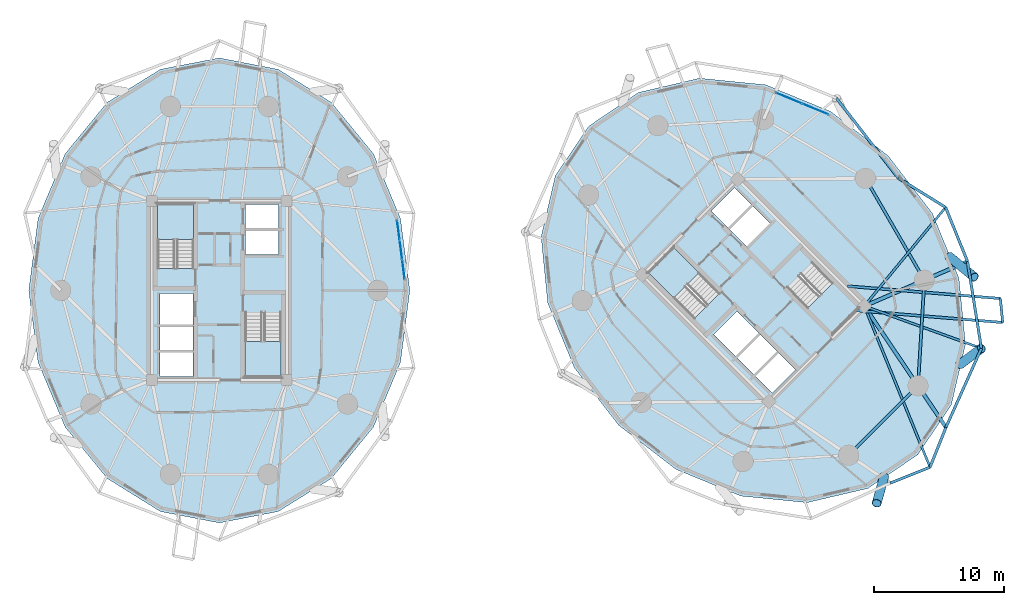
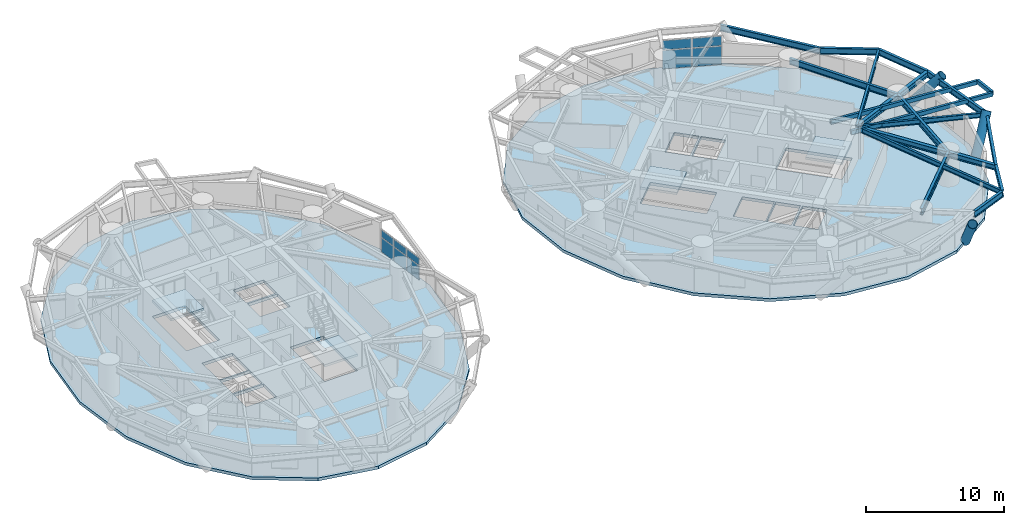
# One storey, part 8 of 17: 18 beams, 10 plates, 6 slabs, 3 members, 6 elements without a shape of their own.
"""IFC4 building model written with IfcOpenShell, lengths in metres."""

from ifc_helpers import new_model, si_unit, direction, frame, origin, origin_2d, place, context, subcontext, project, spatial, polyline, rectangle, hollow_rectangle, hollow_circle, i_section, outline, extrude, source, transform, mapped, material, layer, layer_set, material_profile, profile_set, type_object, element, aggregate, save


model = new_model("IFC4")

# Units and contexts
model_context = context("Model", 3, precision=1e-05, world=origin(), true_north=direction((0.0, 1.0)))
body_context = subcontext(model_context, "Body", "Model", "MODEL_VIEW")
ifc_project = project(units=[si_unit("LENGTHUNIT", "METRE"), si_unit("AREAUNIT", "SQUARE_METRE"), si_unit("VOLUMEUNIT", "CUBIC_METRE"), si_unit("PLANEANGLEUNIT", "RADIAN"), si_unit("MASSUNIT", "GRAM", prefix="KILO")], contexts=[model_context])

# Site, building, storey
site_placement = place(None, origin())
site = spatial("IfcSite", under=ifc_project, at=site_placement, CompositionType="ELEMENT")
building_placement = place(site_placement, origin())
building = spatial("IfcBuilding", under=site, at=building_placement, Name="Cununo Teusaquillo Station Towers", CompositionType="ELEMENT")
storey_placement = place(building_placement, frame((0.0, 0.0, 27.820068359375)))
storey = spatial("IfcBuildingStorey", under=building, at=storey_placement, Name="L07", CompositionType="ELEMENT", Elevation=27.820068359375)

# Beams
ifc_material_1 = material(Name="Steel EN 10025-2 S355J2", Category="steel")
ifc_material_profile_1 = material_profile(ifc_material_1, hollow_rectangle(XDim=0.199951171875, YDim=0.35009765625, WallThickness=0.013916015625, at=origin_2d()), Name="RHS 350x200x14")
ifc_profile_set_1 = profile_set([ifc_material_profile_1], Name="Steel EN 10025-2 S355J2")
beam_type_1 = type_object("IfcBeamType", Name="BM-BAL-CANT", PredefinedType="BEAM", material=ifc_profile_set_1)
beam_1_placement = place(storey_placement, frame((65.3564453125, 22.951904296875, 2.474853515625), z_axis=(0.996751716996, -0.080535797419, 0.0), x_axis=(0.080535797419, 0.996751716996, 0.0)))
element("IfcBeam", 1, at=beam_1_placement, inside=storey, type_object=beam_type_1, Name="L07 Tower B Balcony Cantilever Bracket 2A", PredefinedType="BEAM", context=body_context, shape_type="SweptSolid", body=[
    extrude(hollow_rectangle(XDim=0.199951171875, YDim=0.35009765625, WallThickness=0.013916015625, at=origin_2d()), origin(), (0.0, 0.0, 1.0), 11.32861328125),
])
beam_2_placement = place(storey_placement, frame((64.73779296875, 24.828369140625, 2.474853515625), z_axis=(0.996750695017, -0.080548444941, 0.0), x_axis=(0.080548444941, 0.996750695017, 0.0)))
element("IfcBeam", 2, at=beam_2_placement, inside=storey, type_object=beam_type_1, Name="L07 Tower B Balcony Cantilever Bracket 2B", PredefinedType="BEAM", context=body_context, shape_type="SweptSolid", body=[
    extrude(hollow_rectangle(XDim=0.199951171875, YDim=0.35009765625, WallThickness=0.013916015625, at=origin_2d()), origin(), (0.0, 0.0, 1.0), 11.766357421875),
])
ifc_material_2 = material(Name="Steel ASTM A572 Grade 50", Category="steel")
ifc_material_profile_2 = material_profile(ifc_material_2, i_section(OverallWidth=0.180908203125, OverallDepth=0.4169921875, WebThickness=0.010986328125, FlangeThickness=0.018310546875, FilletRadius=0.012939453125, at=origin_2d()), Name="W16X57")
ifc_profile_set_2 = profile_set([ifc_material_profile_2], Name="Steel ASTM A572 Grade 50")
beam_type_2 = type_object("IfcBeamType", Name="BM-JOIST-1", PredefinedType="JOIST", material=ifc_profile_set_2)
beam_3_placement = place(storey_placement, frame((66.024169921875, 23.29443359375, 2.44140625), z_axis=(0.377815437796, -0.92588092915, 0.0), x_axis=(0.92588092915, 0.377815437796, 0.0)))
element("IfcBeam", 3, at=beam_3_placement, inside=storey, type_object=beam_type_2, Name="L07 Tower B Radial Spandrel Joist V15", PredefinedType="JOIST", context=body_context, shape_type="SweptSolid", body=[
    extrude(i_section(OverallWidth=0.180908203125, OverallDepth=0.4169921875, WebThickness=0.010986328125, FlangeThickness=0.018310546875, FilletRadius=0.012939453125, at=origin_2d()), origin(), (0.0, 0.0, 1.0), 13.353515625),
])
beam_4_placement = place(storey_placement, frame((66.024169921875, 23.29443359375, 2.44140625), z_axis=(0.940761914171, -0.33906787056, 0.0), x_axis=(0.33906787056, 0.940761914171, 0.0)))
element("IfcBeam", 4, at=beam_4_placement, inside=storey, type_object=beam_type_2, Name="L07 Tower B Radial Spandrel Joist V17", PredefinedType="JOIST", context=body_context, shape_type="SweptSolid", body=[
    extrude(i_section(OverallWidth=0.180908203125, OverallDepth=0.4169921875, WebThickness=0.010986328125, FlangeThickness=0.018310546875, FilletRadius=0.012939453125, at=origin_2d()), origin(), (0.0, 0.0, 1.0), 9.552734375),
])
beam_5_placement = place(storey_placement, frame((66.024169921875, 23.29443359375, 2.44140625), z_axis=(0.635389148475, 0.772192093976, 0.0), x_axis=(-0.772192093976, 0.635389148475, 0.0)))
element("IfcBeam", 5, at=beam_5_placement, inside=storey, type_object=beam_type_2, Name="L07 Tower B Radial Spandrel Joist V19", PredefinedType="JOIST", context=body_context, shape_type="SweptSolid", body=[
    extrude(i_section(OverallWidth=0.180908203125, OverallDepth=0.4169921875, WebThickness=0.010986328125, FlangeThickness=0.018310546875, FilletRadius=0.012939453125, at=origin_2d()), origin(), (0.0, 0.0, 1.0), 9.82080078125),
])
ifc_material_3 = material(Name="Steel ASTM A572 Grade 50", Category="steel")
ifc_material_profile_3 = material_profile(ifc_material_3, i_section(OverallWidth=0.280029296875, OverallDepth=0.462890625, WebThickness=0.0107421875, FlangeThickness=0.017333984375, FilletRadius=0.013916015625, at=origin_2d()), Name="W18X76")
ifc_profile_set_3 = profile_set([ifc_material_profile_3], Name="Steel ASTM A572 Grade 50")
beam_type_3 = type_object("IfcBeamType", Name="BM-RAD-G1", PredefinedType="BEAM", material=ifc_profile_set_3)
beam_6_placement = place(storey_placement, frame((66.024169921875, 23.29443359375, 2.41845703125), z_axis=(0.558565249978, -0.829460584667, 0.0), x_axis=(0.829460584667, 0.558565249978, 0.0)))
element("IfcBeam", 6, at=beam_6_placement, inside=storey, type_object=beam_type_3, Name="L07 Tower B Continuous Overhanging Radial Girder 09", PredefinedType="BEAM", context=body_context, shape_type="SweptSolid", body=[
    extrude(i_section(OverallWidth=0.280029296875, OverallDepth=0.462890625, WebThickness=0.0107421875, FlangeThickness=0.017333984375, FilletRadius=0.013916015625, at=origin_2d()), origin(), (0.0, 0.0, 1.0), 11.22119140625),
])
beam_7_placement = place(storey_placement, frame((66.024169921875, 23.29443359375, 2.41845703125), z_axis=(0.91765947108, 0.397367707718, 0.0), x_axis=(-0.397367707718, 0.91765947108, 0.0)))
element("IfcBeam", 7, at=beam_7_placement, inside=storey, type_object=beam_type_3, Name="L07 Tower B Continuous Overhanging Radial Girder 10", PredefinedType="BEAM", context=body_context, shape_type="SweptSolid", body=[
    extrude(i_section(OverallWidth=0.280029296875, OverallDepth=0.462890625, WebThickness=0.0107421875, FlangeThickness=0.017333984375, FilletRadius=0.013916015625, at=origin_2d()), origin(), (0.0, 0.0, 1.0), 8.631591796875),
])
ifc_material_4 = material(Name="Steel ASTM A572 Grade 50", Category="steel")
ifc_material_profile_4 = material_profile(ifc_material_4, i_section(OverallWidth=0.214111328125, OverallDepth=0.549072265625, WebThickness=0.0146484375, FlangeThickness=0.023681640625, FilletRadius=0.014892578125, at=origin_2d()), Name="W21X93")
ifc_profile_set_4 = profile_set([ifc_material_profile_4], Name="Steel ASTM A572 Grade 50")
beam_type_4 = type_object("IfcBeamType", Name="BM-RING-Z1", PredefinedType="SPANDREL", material=ifc_profile_set_4)
beam_8_placement = place(storey_placement, frame((64.826904296875, 11.853759765625, 2.37548828125), z_axis=(0.707106781187, 0.707106781187, 0.0), x_axis=(-0.707106781187, 0.707106781187, 0.0)))
element("IfcBeam", 8, at=beam_8_placement, inside=storey, type_object=beam_type_4, Name="L07 Tower B Structural Column Ring Girder 08", PredefinedType="SPANDREL", context=body_context, shape_type="SweptSolid", body=[
    extrude(i_section(OverallWidth=0.214111328125, OverallDepth=0.549072265625, WebThickness=0.0146484375, FlangeThickness=0.023681640625, FilletRadius=0.014892578125, at=origin_2d()), origin(), (0.0, 0.0, 1.0), 7.522705078125),
])
beam_9_placement = place(storey_placement, frame((70.146240234375, 17.173095703125, 2.37548828125), z_axis=(0.06012979176, 0.998190567048, 0.0), x_axis=(-0.998190567048, 0.06012979176, 0.0)))
element("IfcBeam", 9, at=beam_9_placement, inside=storey, type_object=beam_type_4, Name="L07 Tower B Structural Column Ring Girder 09", PredefinedType="SPANDREL", context=body_context, shape_type="SweptSolid", body=[
    extrude(i_section(OverallWidth=0.214111328125, OverallDepth=0.549072265625, WebThickness=0.0146484375, FlangeThickness=0.023681640625, FilletRadius=0.014892578125, at=origin_2d()), origin(), (0.0, 0.0, 1.0), 8.132568359375),
])
beam_10_placement = place(storey_placement, frame((70.63525390625, 25.291015625, 2.37548828125), z_axis=(-0.501311121078, 0.865267103202, 0.0), x_axis=(-0.865267103202, -0.501311121078, 0.0)))
element("IfcBeam", 10, at=beam_10_placement, inside=storey, type_object=beam_type_4, Name="L07 Tower B Structural Column Ring Girder 10", PredefinedType="SPANDREL", context=body_context, shape_type="SweptSolid", body=[
    extrude(i_section(OverallWidth=0.214111328125, OverallDepth=0.549072265625, WebThickness=0.0146484375, FlangeThickness=0.023681640625, FilletRadius=0.014892578125, at=origin_2d()), origin(), (0.0, 0.0, 1.0), 9.032958984375),
])
beam_11_placement = place(storey_placement, frame((68.635986328125, 33.12841796875, 2.37548828125), z_axis=(-0.612801480015, 0.790236892388, 0.0), x_axis=(-0.790236892388, -0.612801480015, 0.0)))
element("IfcBeam", 11, at=beam_11_placement, inside=storey, type_object=beam_type_4, Name="L07 Tower B Spandrel Ring Beam 01", PredefinedType="SPANDREL", context=body_context, shape_type="SweptSolid", body=[
    extrude(i_section(OverallWidth=0.214111328125, OverallDepth=0.549072265625, WebThickness=0.0146484375, FlangeThickness=0.023681640625, FilletRadius=0.014892578125, at=origin_2d()), origin(), (0.0, 0.0, 1.0), 7.764404296875),
])
for number, where, z_axis, x_axis, name in (
    (12, (68.01318359375, 9.7080078125, 2.37548828125), (0.928456228871, 0.371441827304, 0.0), (-0.371441827304, 0.928456228871, 0.0), "L07 Tower B Spandrel Ring Beam 15"),
    (13, (71.0693359375, 10.9306640625, 2.37548828125), (0.371441827304, 0.928456228871, 0.0), (-0.928456228871, 0.371441827304, 0.0), "L07 Tower B Spandrel Ring Beam 16"),
):
    element("IfcBeam", number, at=place(storey_placement, frame(where, z_axis=z_axis, x_axis=x_axis)), inside=storey, type_object=beam_type_4, Name=name, PredefinedType="SPANDREL", context=body_context, shape_type="SweptSolid", body=[
        extrude(i_section(OverallWidth=0.214111328125, OverallDepth=0.549072265625, WebThickness=0.0146484375, FlangeThickness=0.023681640625, FilletRadius=0.014892578125, at=origin_2d()), origin(), (0.0, 0.0, 1.0), 3.291748046875),
    ])
beam_12_placement = place(storey_placement, frame((72.2919921875, 13.98681640625, 2.37548828125), z_axis=(0.408878798951, 0.912588695836, 0.0), x_axis=(-0.912588695836, 0.408878798951, 0.0)))
element("IfcBeam", 14, at=beam_12_placement, inside=storey, type_object=beam_type_4, Name="L07 Tower B Spandrel Ring Beam 17", PredefinedType="SPANDREL", context=body_context, shape_type="SweptSolid", body=[
    extrude(i_section(OverallWidth=0.214111328125, OverallDepth=0.549072265625, WebThickness=0.0146484375, FlangeThickness=0.023681640625, FilletRadius=0.014892578125, at=origin_2d()), origin(), (0.0, 0.0, 1.0), 6.64990234375),
])
beam_13_placement = place(storey_placement, frame((75.010986328125, 20.055419921875, 2.37548828125), z_axis=(-0.157829770834, 0.987466335344, 0.0), x_axis=(-0.987466335344, -0.157829770834, 0.0)))
element("IfcBeam", 15, at=beam_13_placement, inside=storey, type_object=beam_type_4, Name="L07 Tower B Spandrel Ring Beam 18", PredefinedType="SPANDREL", context=body_context, shape_type="SweptSolid", body=[
    extrude(i_section(OverallWidth=0.214111328125, OverallDepth=0.549072265625, WebThickness=0.0146484375, FlangeThickness=0.023681640625, FilletRadius=0.014892578125, at=origin_2d()), origin(), (0.0, 0.0, 1.0), 6.753662109375),
])
beam_14_placement = place(storey_placement, frame((73.945068359375, 26.724365234375, 2.37548828125), z_axis=(-0.375135909025, 0.926969821386, 0.0), x_axis=(-0.926969821386, -0.375135909025, 0.0)))
element("IfcBeam", 16, at=beam_14_placement, inside=storey, type_object=beam_type_4, Name="L07 Tower B Spandrel Ring Beam 19", PredefinedType="SPANDREL", context=body_context, shape_type="SweptSolid", body=[
    extrude(i_section(OverallWidth=0.214111328125, OverallDepth=0.549072265625, WebThickness=0.0146484375, FlangeThickness=0.023681640625, FilletRadius=0.014892578125, at=origin_2d()), origin(), (0.0, 0.0, 1.0), 4.480712890625),
])
beam_15_placement = place(storey_placement, frame((72.26416015625, 30.8779296875, 2.37548828125), z_axis=(-0.849795627585, 0.527112313779, 0.0), x_axis=(-0.527112313779, -0.849795627585, 0.0)))
element("IfcBeam", 17, at=beam_15_placement, inside=storey, type_object=beam_type_4, Name="L07 Tower B Spandrel Ring Beam 20", PredefinedType="SPANDREL", context=body_context, shape_type="SweptSolid", body=[
    extrude(i_section(OverallWidth=0.214111328125, OverallDepth=0.549072265625, WebThickness=0.0146484375, FlangeThickness=0.023681640625, FilletRadius=0.014892578125, at=origin_2d()), origin(), (0.0, 0.0, 1.0), 4.26953125),
])
ifc_material_5 = material(Name="Steel EN 10025-2 S355J2", Category="steel")
ifc_material_profile_5 = material_profile(ifc_material_5, hollow_rectangle(XDim=0.199951171875, YDim=0.35009765625, WallThickness=0.013916015625, at=origin_2d()), Name="RHS 350x200x14")
ifc_profile_set_5 = profile_set([ifc_material_profile_5], Name="Steel EN 10025-2 S355J2")
beam_type_5 = type_object("IfcBeamType", Name="BM-STAIR-TRIM", PredefinedType="BEAM", material=ifc_profile_set_5)
beam_16_placement = place(storey_placement, frame((76.648193359375, 22.03955078125, 2.52490234375), z_axis=(-0.098576018311, 0.995129523537, 0.0), x_axis=(-0.995129523537, -0.098576018311, 0.0)))
element("IfcBeam", 18, at=beam_16_placement, inside=storey, type_object=beam_type_5, Name="L07 Tower B Balcony Edge Trimmer Beam 2", PredefinedType="BEAM", context=body_context, shape_type="SweptSolid", body=[
    extrude(hollow_rectangle(XDim=0.199951171875, YDim=0.35009765625, WallThickness=0.013916015625, at=origin_2d()), origin(), (0.0, 0.0, 1.0), 1.85009765625),
])

# Members
ifc_material_6 = material(Name="Steel EN 10025-2 S355J2", Category="steel")
ifc_material_profile_6 = material_profile(ifc_material_6, hollow_circle(Radius=0.360107421875, WallThickness=0.028076171875, at=origin_2d()), Name="CHS 720x28")
ifc_profile_set_6 = profile_set([ifc_material_profile_6], Name="Steel EN 10025-2 S355J2")
member_type = type_object("IfcMemberType", Name="MBR-DIAG-Z1", PredefinedType="BRACE", material=ifc_profile_set_6)
member_1_placement = place(storey_placement, frame((67.54638671875, 10.20849609375, -0.14013671875), z_axis=(-0.159683606554, -0.568237973957, 0.807221624308), x_axis=(0.962709788537, -0.270536250908, 0.0)))
element("IfcMember", 19, at=member_1_placement, inside=storey, type_object=member_type, Name="L07 Tower B Folded-Zigzag Diagrid Tube C14", PredefinedType="BRACE", context=body_context, shape_type="SweptSolid", body=[
    extrude(hollow_circle(Radius=0.360107421875, WallThickness=0.028076171875, at=origin_2d()), origin(), (0.0, 0.0, 1.0), 3.605224609375),
])
member_2_placement = place(storey_placement, frame((73.371337890625, 18.826171875, -0.14013671875), z_axis=(0.460667971989, 0.34536379377, 0.81762391693), x_axis=(-0.599847495595, 0.800114355594, 0.0)))
element("IfcMember", 20, at=member_2_placement, inside=storey, type_object=member_type, Name="L07 Tower B Folded-Zigzag Diagrid Tube C16", PredefinedType="BRACE", context=body_context, shape_type="SweptSolid", body=[
    extrude(hollow_circle(Radius=0.360107421875, WallThickness=0.028076171875, at=origin_2d()), origin(), (0.0, 0.0, 1.0), 3.559326171875),
])
member_3_placement = place(storey_placement, frame((72.54833984375, 27.09814453125, -0.14013671875), z_axis=(0.501438070314, -0.413177827492, 0.760160472866), x_axis=(0.635917089304, 0.771757381262, 0.0)))
element("IfcMember", 21, at=member_3_placement, inside=storey, type_object=member_type, Name="L07 Tower B Folded-Zigzag Diagrid Tube C18", PredefinedType="BRACE", context=body_context, shape_type="SweptSolid", body=[
    extrude(hollow_circle(Radius=0.360107421875, WallThickness=0.028076171875, at=origin_2d()), origin(), (0.0, 0.0, 1.0), 3.828369140625),
])

# Stair, slab
ifc_material_7 = material(Name="Concrete C50/60", Category="concrete")
stair_type = type_object("IfcStairType", Name="ST-TWR-1300", PredefinedType="HALF_TURN_STAIR", material=ifc_material_7)
stair_1_placement = place(storey_placement, origin())
stair_1 = element("IfcStair", 22, at=stair_1_placement, inside=storey, type_object=stair_type, Name="L07 Tower A Protected Core Exit Stair 1", PredefinedType="HALF_TURN_STAIR")
ifc_material_8 = material(Name="Concrete C50/60", Category="concrete")
ifc_layer_1 = layer(ifc_material_8, 0.199951171875)
ifc_layer_set_1 = layer_set([ifc_layer_1], Name="Concrete C50/60")
slab_type_1 = type_object("IfcSlabType", Name="SLB-STAIR-LND", PredefinedType="LANDING", material=ifc_layer_set_1)
slab_1_placement = place(storey_placement, frame((0.0, 0.0, 1.2548828125)))
slab_1 = element("IfcSlab", 23, at=slab_1_placement, type_object=slab_type_1, Name="ST-T1-1 landing 1", PredefinedType="LANDING", context=body_context, shape_type="SweptSolid", body=[
    extrude(outline(polyline([(14.52001953125, 28.409912109375), (14.52001953125, 31.159912109375), (11.760009765625, 31.159912109375), (11.760009765625, 28.409912109375), (14.52001953125, 28.409912109375)])), origin(), (0.0, 0.0, 1.0), 0.199951171875),
])
aggregate(stair_1, [slab_1])

stair_2_placement = place(storey_placement, origin())
stair_2 = element("IfcStair", 24, at=stair_2_placement, inside=storey, type_object=stair_type, Name="L07 Tower A Protected Core Exit Stair 2", PredefinedType="HALF_TURN_STAIR")
slab_2_placement = place(storey_placement, frame((0.0, 0.0, 1.2548828125)))
slab_2 = element("IfcSlab", 25, at=slab_2_placement, type_object=slab_type_1, Name="ST-T1-2 landing 1", PredefinedType="LANDING", context=body_context, shape_type="SweptSolid", body=[
    extrude(outline(polyline([(18.47998046875, 20.590087890625), (18.47998046875, 17.840087890625), (21.239990234375, 17.840087890625), (21.239990234375, 20.590087890625), (18.47998046875, 20.590087890625)])), origin(), (0.0, 0.0, 1.0), 0.199951171875),
])
aggregate(stair_2, [slab_2])

stair_3_placement = place(storey_placement, origin())
stair_3 = element("IfcStair", 26, at=stair_3_placement, inside=storey, type_object=stair_type, Name="L07 Tower B Protected Core Exit Stair 1", PredefinedType="HALF_TURN_STAIR")
slab_3_placement = place(storey_placement, frame((0.0, 0.0, 1.2548828125)))
slab_3 = element("IfcSlab", 27, at=slab_3_placement, type_object=slab_type_1, Name="ST-T2-1 landing 1", PredefinedType="LANDING", context=body_context, shape_type="SweptSolid", body=[
    extrude(outline(polyline([(53.335205078125, 25.86474609375), (51.390625, 27.809326171875), (49.43896484375, 25.857666015625), (51.383544921875, 23.9130859375), (53.335205078125, 25.86474609375)])), origin(), (0.0, 0.0, 1.0), 0.199951171875),
])
aggregate(stair_3, [slab_3])

stair_4_placement = place(storey_placement, origin())
stair_4 = element("IfcStair", 28, at=stair_4_placement, inside=storey, type_object=stair_type, Name="L07 Tower B Protected Core Exit Stair 2", PredefinedType="HALF_TURN_STAIR")
slab_4_placement = place(storey_placement, frame((0.0, 0.0, 1.2548828125)))
slab_4 = element("IfcSlab", 29, at=slab_4_placement, type_object=slab_type_1, Name="ST-T2-2 landing 1", PredefinedType="LANDING", context=body_context, shape_type="SweptSolid", body=[
    extrude(outline(polyline([(61.664794921875, 23.13525390625), (63.609375, 21.190673828125), (65.56103515625, 23.142333984375), (63.616455078125, 25.0869140625), (61.664794921875, 23.13525390625)])), origin(), (0.0, 0.0, 1.0), 0.199951171875),
])
aggregate(stair_4, [slab_4])

# Slabs
ifc_material_9 = material(Name="Concrete C50/60", Category="concrete")
ifc_layer_2 = layer(ifc_material_9, 0.260009765625)
ifc_layer_set_2 = layer_set([ifc_layer_2], Name="Concrete C50/60")
slab_type_2 = type_object("IfcSlabType", Name="SLB-Z1-260", PredefinedType="FLOOR", material=ifc_layer_set_2)
slab_5_placement = place(storey_placement, frame((0.0, 0.0, -0.260009765625)))
element("IfcSlab", 30, at=slab_5_placement, inside=storey, type_object=slab_type_2, Name="L07 Tower A Floor Slab", PredefinedType="FLOOR", context=body_context, shape_type="SweptSolid", body=[
    extrude(outline(polyline([(31.131103515625, 24.5), (30.414794921875, 30.01611328125), (28.336669921875, 34.991943359375), (25.099853515625, 38.94091796875), (21.021240234375, 41.476318359375), (16.5, 42.35009765625), (11.978759765625, 41.476318359375), (7.900146484375, 38.94091796875), (4.663330078125, 34.991943359375), (2.585205078125, 30.01611328125), (1.868896484375, 24.5), (2.585205078125, 18.98388671875), (4.663330078125, 14.008056640625), (7.900146484375, 10.05908203125), (11.978759765625, 7.523681640625), (16.5, 6.64990234375), (21.021240234375, 7.523681640625), (25.099853515625, 10.05908203125), (28.336669921875, 14.008056640625), (30.414794921875, 18.98388671875), (31.131103515625, 24.5)]), holes=[polyline([(14.52001953125, 26.176025390625), (14.52001953125, 31.159912109375), (11.760009765625, 31.159912109375), (11.760009765625, 26.176025390625), (14.52001953125, 26.176025390625)]), polyline([(18.47998046875, 22.823974609375), (18.47998046875, 17.840087890625), (21.239990234375, 17.840087890625), (21.239990234375, 22.823974609375), (18.47998046875, 22.823974609375)]), polyline([(11.949951171875, 21.85009765625), (14.47998046875, 21.85009765625), (14.47998046875, 24.25), (11.949951171875, 24.25), (11.949951171875, 21.85009765625)]), polyline([(11.949951171875, 17.89990234375), (14.47998046875, 17.89990234375), (14.47998046875, 19.75), (11.949951171875, 19.75), (11.949951171875, 17.89990234375)]), polyline([(11.949951171875, 19.89990234375), (14.47998046875, 19.89990234375), (14.47998046875, 21.75), (11.949951171875, 21.75), (11.949951171875, 19.89990234375)]), polyline([(18.52001953125, 27.25), (21.050048828125, 27.25), (21.050048828125, 29.10009765625), (18.52001953125, 29.10009765625), (18.52001953125, 27.25)]), polyline([(18.52001953125, 29.25), (21.050048828125, 29.25), (21.050048828125, 31.10009765625), (18.52001953125, 31.10009765625), (18.52001953125, 29.25)])]), origin(), (0.0, 0.0, 1.0), 0.260009765625),
])
slab_6_placement = place(storey_placement, frame((0.0, 0.0, -0.260009765625)))
element("IfcSlab", 31, at=slab_6_placement, inside=storey, type_object=slab_type_2, Name="L07 Tower B Floor Slab", PredefinedType="FLOOR", context=body_context, shape_type="SweptSolid", body=[
    extrude(outline(polyline([(67.845703125, 34.845703125), (63.43896484375, 38.23974609375), (58.45068359375, 40.288818359375), (53.36962890625, 40.79248046875), (48.69287109375, 39.701171875), (44.878173828125, 37.121826171875), (42.298828125, 33.30712890625), (41.20751953125, 28.63037109375), (41.711181640625, 23.54931640625), (43.76025390625, 18.56103515625), (47.154296875, 14.154296875), (51.56103515625, 10.76025390625), (56.54931640625, 8.711181640625), (61.63037109375, 8.20751953125), (66.30712890625, 9.298828125), (70.121826171875, 11.878173828125), (72.701171875, 15.69287109375), (73.79248046875, 20.36962890625), (73.288818359375, 25.45068359375), (71.23974609375, 30.43896484375), (67.845703125, 34.845703125)]), holes=[polyline([(54.914794921875, 24.28515625), (51.390625, 27.809326171875), (49.43896484375, 25.857666015625), (52.963134765625, 22.33349609375), (54.914794921875, 24.28515625)]), polyline([(60.085205078125, 24.71484375), (63.609375, 21.190673828125), (65.56103515625, 23.142333984375), (62.036865234375, 26.66650390625), (60.085205078125, 24.71484375)]), polyline([(56.156494140625, 19.40869140625), (57.945556640625, 21.19775390625), (56.248291015625, 22.89501953125), (54.45947265625, 21.10595703125), (56.156494140625, 19.40869140625)]), polyline([(58.94970703125, 16.61572265625), (60.738525390625, 18.40478515625), (59.430419921875, 19.712890625), (57.641357421875, 17.923828125), (58.94970703125, 16.61572265625)]), polyline([(57.535400390625, 18.030029296875), (59.32421875, 19.819091796875), (58.01611328125, 21.127197265625), (56.227294921875, 19.338134765625), (57.535400390625, 18.030029296875)]), polyline([(56.98388671875, 27.872802734375), (58.772705078125, 29.661865234375), (57.464599609375, 30.969970703125), (55.67578125, 29.180908203125), (56.98388671875, 27.872802734375)]), polyline([(55.569580078125, 29.287109375), (57.358642578125, 31.076171875), (56.05029296875, 32.38427734375), (54.261474609375, 30.59521484375), (55.569580078125, 29.287109375)])]), origin(), (0.0, 0.0, 1.0), 0.260009765625),
])

# Curtain wall, plates
ifc_material_10 = material(Name="Ceramic-fritted dark low-E double glazing", Category="glass")
ifc_layer_3 = layer(ifc_material_10, 0.179931640625)
ifc_layer_set_3 = layer_set([ifc_layer_3], Name="Ceramic-fritted dark low-E double glazing")
curtain_wall_type = type_object("IfcCurtainWallType", Name="CW-SYS-02", PredefinedType="USERDEFINED", material=ifc_layer_set_3)
curtain_wall_1_placement = place(storey_placement, origin())
curtain_wall_1 = element("IfcCurtainWall", 32, at=curtain_wall_1_placement, inside=storey, type_object=curtain_wall_type, Name="L07 Tower A Facade Curtain Wall C00", ObjectType="FRITTED GLAZING", PredefinedType="USERDEFINED")
ifc_material_11 = material(Name="Ceramic-fritted dark low-E double glazing", Category="glass")
ifc_layer_4 = layer(ifc_material_11, 0.028076171875)
ifc_layer_set_4 = layer_set([ifc_layer_4], Name="Ceramic-fritted dark low-E double glazing")
plate_type = type_object("IfcPlateType", Name="CWP-FRIT-28", PredefinedType="CURTAIN_PANEL", material=ifc_layer_set_4)
shared_shape_1 = source(origin(), body_context, "Body", "SweptSolid", [
    extrude(rectangle(XDim=1.4365234375, YDim=0.028076171875, at=origin_2d()), origin(), (0.0, 0.0, 1.0), 1.241943359375),
])
plate_1_placement = place(storey_placement, frame((30.249755859375, 29.147705078125, 0.06982421875), z_axis=(0.0, 0.0, 1.0), x_axis=(0.128291742659, -0.991736471431, 0.0)))
plate_1 = element("IfcPlate", 33, at=plate_1_placement, type_object=plate_type, Name="CW-02 panel 1.1", PredefinedType="CURTAIN_PANEL", context=body_context, shape_type="MappedRepresentation", body=[
    mapped(shared_shape_1, transform((0.0, 0.0, 0.0), x_axis=(1.0, 0.0, 0.0), y_axis=(0.0, 1.0, 0.0), z_axis=(0.0, 0.0, 1.0), scale=1.0)),
])
plate_2_placement = place(storey_placement, frame((30.640869140625, 26.124755859375, 0.06982421875), z_axis=(0.0, 0.0, 1.0), x_axis=(0.128291742659, -0.991736471431, 0.0)))
plate_2 = element("IfcPlate", 34, at=plate_2_placement, type_object=plate_type, Name="CW-02 panel 3.1", PredefinedType="CURTAIN_PANEL", context=body_context, shape_type="MappedRepresentation", body=[
    mapped(shared_shape_1, transform((0.0, 0.0, 0.0), x_axis=(1.0, 0.0, 0.0), y_axis=(0.0, 1.0, 0.0), z_axis=(0.0, 0.0, 1.0), scale=1.0)),
])
shared_shape_2 = source(origin(), body_context, "Body", "SweptSolid", [
    extrude(rectangle(XDim=1.4365234375, YDim=0.028076171875, at=origin_2d()), origin(), (0.0, 0.0, 1.0), 0.62109375),
])
plate_3_placement = place(storey_placement, frame((30.249755859375, 29.147705078125, 1.3818359375), z_axis=(0.0, 0.0, 1.0), x_axis=(0.128291742659, -0.991736471431, 0.0)))
plate_3 = element("IfcPlate", 35, at=plate_3_placement, type_object=plate_type, Name="CW-02 panel 1.2", PredefinedType="CURTAIN_PANEL", context=body_context, shape_type="MappedRepresentation", body=[
    mapped(shared_shape_2, transform((0.0, 0.0, 0.0), x_axis=(1.0, 0.0, 0.0), y_axis=(0.0, 1.0, 0.0), z_axis=(0.0, 0.0, 1.0), scale=1.0)),
])
plate_4_placement = place(storey_placement, frame((30.640869140625, 26.124755859375, 1.3818359375), z_axis=(0.0, 0.0, 1.0), x_axis=(0.128291742659, -0.991736471431, 0.0)))
plate_4 = element("IfcPlate", 36, at=plate_4_placement, type_object=plate_type, Name="CW-02 panel 3.2", PredefinedType="CURTAIN_PANEL", context=body_context, shape_type="MappedRepresentation", body=[
    mapped(shared_shape_2, transform((0.0, 0.0, 0.0), x_axis=(1.0, 0.0, 0.0), y_axis=(0.0, 1.0, 0.0), z_axis=(0.0, 0.0, 1.0), scale=1.0)),
])
shared_shape_3 = source(origin(), body_context, "Body", "SweptSolid", [
    extrude(rectangle(XDim=1.471435546875, YDim=0.028076171875, at=origin_2d()), origin(), (0.0, 0.0, 1.0), 1.241943359375),
])
plate_5_placement = place(storey_placement, frame((30.4453125, 27.63623046875, 0.06982421875), z_axis=(0.0, 0.0, 1.0), x_axis=(0.128291742659, -0.991736471431, 0.0)))
plate_5 = element("IfcPlate", 37, at=plate_5_placement, type_object=plate_type, Name="CW-02 panel 2.1", PredefinedType="CURTAIN_PANEL", context=body_context, shape_type="MappedRepresentation", body=[
    mapped(shared_shape_3, transform((0.0, 0.0, 0.0), x_axis=(1.0, 0.0, 0.0), y_axis=(0.0, 1.0, 0.0), z_axis=(0.0, 0.0, 1.0), scale=1.0)),
])
shared_shape_4 = source(origin(), body_context, "Body", "SweptSolid", [
    extrude(rectangle(XDim=1.471435546875, YDim=0.028076171875, at=origin_2d()), origin(), (0.0, 0.0, 1.0), 0.62109375),
])
plate_6_placement = place(storey_placement, frame((30.4453125, 27.63623046875, 1.3818359375), z_axis=(0.0, 0.0, 1.0), x_axis=(0.128291742659, -0.991736471431, 0.0)))
plate_6 = element("IfcPlate", 38, at=plate_6_placement, type_object=plate_type, Name="CW-02 panel 2.2", PredefinedType="CURTAIN_PANEL", context=body_context, shape_type="MappedRepresentation", body=[
    mapped(shared_shape_4, transform((0.0, 0.0, 0.0), x_axis=(1.0, 0.0, 0.0), y_axis=(0.0, 1.0, 0.0), z_axis=(0.0, 0.0, 1.0), scale=1.0)),
])
aggregate(curtain_wall_1, [plate_1, plate_3, plate_5, plate_6, plate_2, plate_4])

curtain_wall_2_placement = place(storey_placement, origin())
curtain_wall_2 = element("IfcCurtainWall", 39, at=curtain_wall_2_placement, inside=storey, type_object=curtain_wall_type, Name="L07 Tower B Facade Curtain Wall C01", ObjectType="FRITTED GLAZING", PredefinedType="USERDEFINED")
shared_shape_5 = source(origin(), body_context, "Body", "SweptSolid", [
    extrude(rectangle(XDim=2.12255859375, YDim=0.028076171875, at=origin_2d()), origin(), (0.0, 0.0, 1.0), 1.60791015625),
])
plate_7_placement = place(storey_placement, frame((60.23876953125, 39.257080078125, 0.070068359375), z_axis=(0.0, 0.0, 1.0), x_axis=(0.924524624623, -0.38112231431, 0.0)))
plate_7 = element("IfcPlate", 40, at=plate_7_placement, type_object=plate_type, Name="CW-02 panel 1.1", PredefinedType="CURTAIN_PANEL", context=body_context, shape_type="MappedRepresentation", body=[
    mapped(shared_shape_5, transform((0.0, 0.0, 0.0), x_axis=(1.0, 0.0, 0.0), y_axis=(0.0, 1.0, 0.0), z_axis=(0.0, 0.0, 1.0), scale=1.0)),
])
plate_8_placement = place(storey_placement, frame((62.265869140625, 38.42138671875, 0.070068359375), z_axis=(0.0, 0.0, 1.0), x_axis=(0.924524624623, -0.38112231431, 0.0)))
plate_8 = element("IfcPlate", 41, at=plate_8_placement, type_object=plate_type, Name="CW-02 panel 2.1", PredefinedType="CURTAIN_PANEL", context=body_context, shape_type="MappedRepresentation", body=[
    mapped(shared_shape_5, transform((0.0, 0.0, 0.0), x_axis=(1.0, 0.0, 0.0), y_axis=(0.0, 1.0, 0.0), z_axis=(0.0, 0.0, 1.0), scale=1.0)),
])
shared_shape_6 = source(origin(), body_context, "Body", "SweptSolid", [
    extrude(rectangle(XDim=2.12255859375, YDim=0.028076171875, at=origin_2d()), origin(), (0.0, 0.0, 1.0), 0.81689453125),
])
plate_9_placement = place(storey_placement, frame((60.23876953125, 39.257080078125, 1.748046875), z_axis=(0.0, 0.0, 1.0), x_axis=(0.924524624623, -0.38112231431, 0.0)))
plate_9 = element("IfcPlate", 42, at=plate_9_placement, type_object=plate_type, Name="CW-02 panel 1.2", PredefinedType="CURTAIN_PANEL", context=body_context, shape_type="MappedRepresentation", body=[
    mapped(shared_shape_6, transform((0.0, 0.0, 0.0), x_axis=(1.0, 0.0, 0.0), y_axis=(0.0, 1.0, 0.0), z_axis=(0.0, 0.0, 1.0), scale=1.0)),
])
plate_10_placement = place(storey_placement, frame((62.265869140625, 38.42138671875, 1.748046875), z_axis=(0.0, 0.0, 1.0), x_axis=(0.924524624623, -0.38112231431, 0.0)))
plate_10 = element("IfcPlate", 43, at=plate_10_placement, type_object=plate_type, Name="CW-02 panel 2.2", PredefinedType="CURTAIN_PANEL", context=body_context, shape_type="MappedRepresentation", body=[
    mapped(shared_shape_6, transform((0.0, 0.0, 0.0), x_axis=(1.0, 0.0, 0.0), y_axis=(0.0, 1.0, 0.0), z_axis=(0.0, 0.0, 1.0), scale=1.0)),
])
aggregate(curtain_wall_2, [plate_7, plate_9, plate_8, plate_10])

save(model, "model.ifc")
